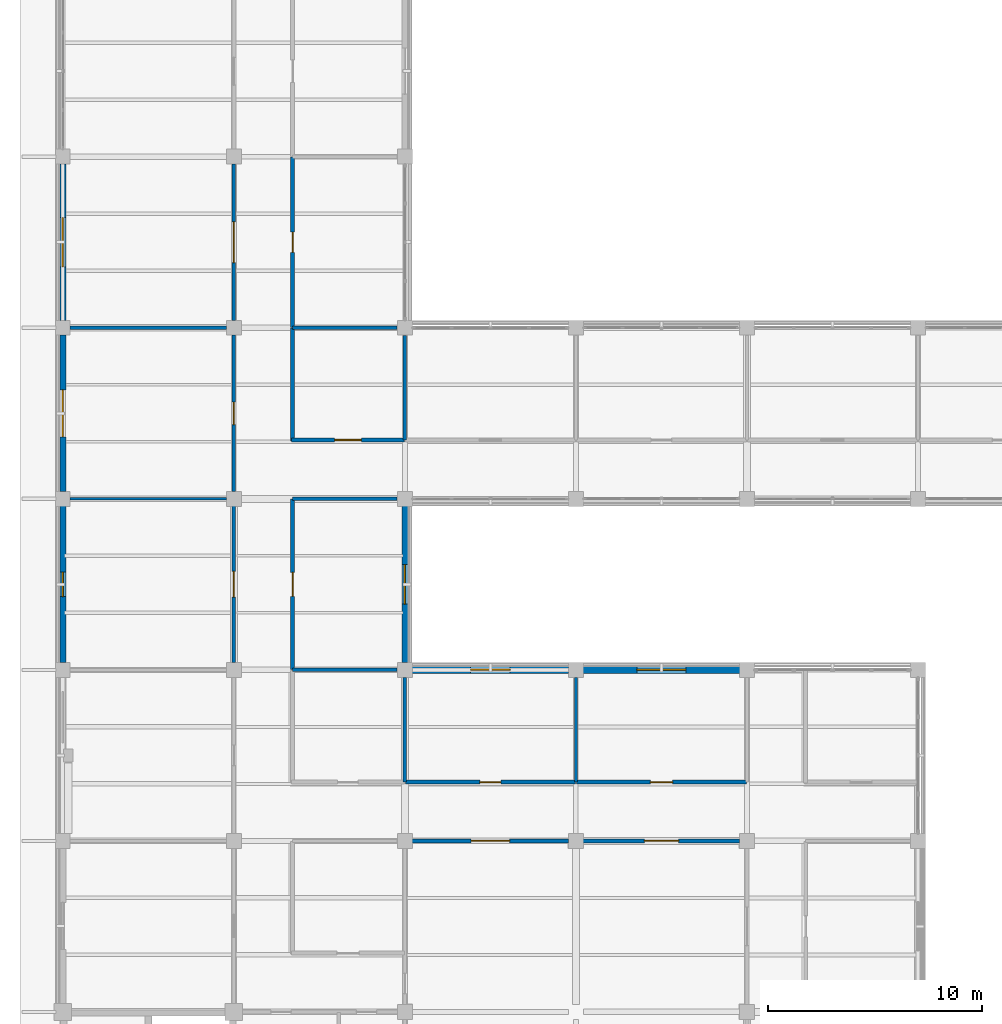
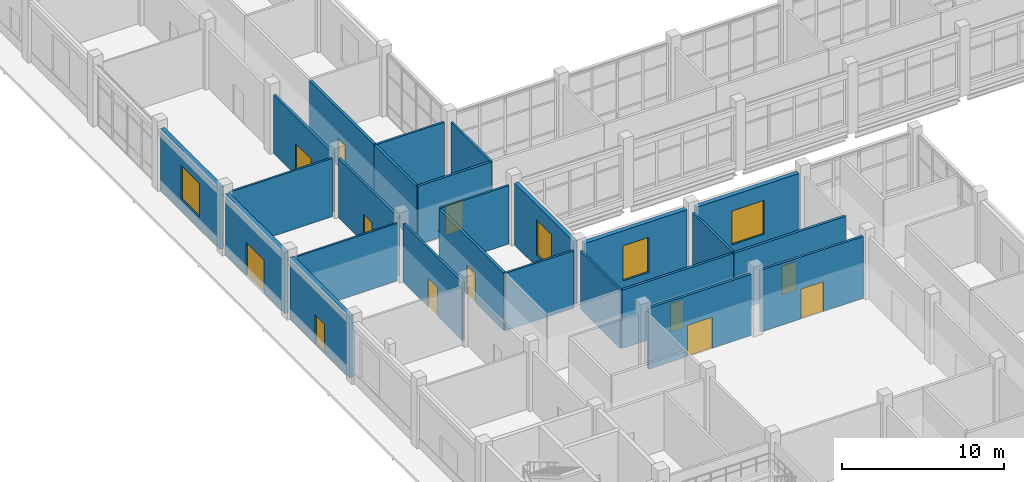
# One storey, part 61 of 105: 25 walls, 12 doors, 4 windows, 16 openings.
"""IFC4 building model written with IfcOpenShell, lengths in metres."""

import ifcopenshell
import ifcopenshell.guid

model = None  # the IFC model being written
_history = None  # IfcOwnerHistory: only IFC2X3 demands one
_inside = {}  # id of a spatial element -> (the spatial element, [elements in it])
_under = {}  # id of a project, library or spatial element -> (it, [spatial elements below it])
_declared = {}  # id of a project -> (the project, [libraries it declares])
_typed = {}  # id of a type object -> (the type object, [elements of that type])
_made_of = {}  # id of a material, layer set ... -> (it, [elements and type objects made of it])


def new_model(schema):
    """Start an empty IFC model of exactly this schema.

    Asked for "IFC4X3", IfcOpenShell would pick the latest addendum, in which some entities
    have other attributes; the version numbers below select the first issue.
    IFC2X3 requires an IfcOwnerHistory on every rooted entity: one is made here for all.
    """
    global model, _history
    if schema == "IFC4X3":
        model = ifcopenshell.file(schema_version=(4, 3, 0, 0))
    else:
        model = ifcopenshell.file(schema=schema)
    _inside.clear()
    _under.clear()
    _declared.clear()
    _typed.clear()
    _made_of.clear()
    _history = None
    if model.schema == "IFC2X3":
        org = make("IfcOrganization", Name="unknown")
        user = make(
            "IfcPersonAndOrganization",
            ThePerson=make("IfcPerson", FamilyName="unknown"),
            TheOrganization=org,
        )
        app = make(
            "IfcApplication",
            ApplicationDeveloper=org,
            Version="unknown",
            ApplicationFullName="unknown",
            ApplicationIdentifier="unknown",
        )
        _history = make(
            "IfcOwnerHistory",
            OwningUser=user,
            OwningApplication=app,
            ChangeAction="ADDED",
            CreationDate=0,
        )
    return model


def make(cls, **values):
    """One entity of the class cls with the attributes given. An attribute that is None is left unset."""
    return model.create_entity(
        cls, **{name: value for name, value in values.items() if value is not None}
    )


def rooted(cls, **values):
    """An entity with a GlobalId (a new one), such as an element, a storey or a relation."""
    return make(cls, GlobalId=ifcopenshell.guid.new(), OwnerHistory=_history, **values)


def si_unit(unit_type, name, prefix=None):
    """IfcSIUnit, for example si_unit("LENGTHUNIT", "METRE", prefix="MILLI")."""
    return make("IfcSIUnit", UnitType=unit_type, Prefix=prefix, Name=name)


def derived_unit(unit_type, elements):
    """IfcDerivedUnit: a product of units, each with its exponent."""
    return make(
        "IfcDerivedUnit",
        Elements=[
            make("IfcDerivedUnitElement", Unit=unit, Exponent=power)
            for unit, power in elements
        ],
        UnitType=unit_type,
    )


def assignment(units):
    """IfcUnitAssignment: the units of a project."""
    return None if units is None else make("IfcUnitAssignment", Units=units)


def point(xyz):
    """IfcCartesianPoint."""
    return None if xyz is None else make("IfcCartesianPoint", Coordinates=xyz)


def direction(xyz):
    """IfcDirection."""
    return None if xyz is None else make("IfcDirection", DirectionRatios=xyz)


def frame(location, z_axis=None, x_axis=None):
    """IfcAxis2Placement3D, a coordinate frame: its origin and axes. An axis left out is left unset."""
    return make(
        "IfcAxis2Placement3D",
        Location=point(location),
        Axis=direction(z_axis),
        RefDirection=direction(x_axis),
    )


def frame_2d(location, x_axis=None):
    """IfcAxis2Placement2D, a coordinate frame in the plane: its origin and x axis."""
    return make(
        "IfcAxis2Placement2D", Location=point(location), RefDirection=direction(x_axis)
    )


def origin():
    """The frame at (0, 0, 0) with its axes left unset."""
    return frame((0.0, 0.0, 0.0))


def place(relative_to, where):
    """IfcLocalPlacement: puts the frame where relative to a parent placement (None: the world)."""
    return make(
        "IfcLocalPlacement", PlacementRelTo=relative_to, RelativePlacement=where
    )


def context(
    kind, dimensions, precision=None, world=None, true_north=None, identifier=None
):
    """IfcGeometricRepresentationContext, for example the 3D "Model" context."""
    return make(
        "IfcGeometricRepresentationContext",
        ContextIdentifier=identifier,
        ContextType=kind,
        CoordinateSpaceDimension=dimensions,
        Precision=precision,
        WorldCoordinateSystem=world,
        TrueNorth=true_north,
    )


def subcontext(parent, identifier, kind, view, scale=None):
    """IfcGeometricRepresentationSubContext, for example "Body" below "Model"."""
    return make(
        "IfcGeometricRepresentationSubContext",
        ContextIdentifier=identifier,
        ContextType=kind,
        ParentContext=parent,
        TargetScale=scale,
        TargetView=view,
    )


def project(units=None, contexts=None):
    """IfcProject with its units and contexts."""
    return rooted(
        "IfcProject",
        Name="project",
        RepresentationContexts=contexts,
        UnitsInContext=assignment(units),
    )


def spatial(cls, under=None, at=None, **own):
    """A site, building, storey or space (cls), placed at a placement, below another one or the project."""
    s = rooted(cls, ObjectPlacement=at, **own)
    if under is not None:
        _under.setdefault(under.id(), (under, []))[1].append(s)
    return s


def profile(cls, at=None, kind="AREA", **sizes):
    """A parametric profile (cls). Its sizes go by their IFC names, for example OverallWidth=200.0."""
    return make(cls, ProfileType=kind, Position=at, **sizes)


def rectangle(**sizes):
    """IfcRectangleProfileDef."""
    return profile("IfcRectangleProfileDef", **sizes)


def extrude(swept, where, along, depth):
    """IfcExtrudedAreaSolid: the profile swept, set in the frame where, extruded along a direction by depth."""
    return make(
        "IfcExtrudedAreaSolid",
        SweptArea=swept,
        Position=where,
        ExtrudedDirection=direction(along),
        Depth=depth,
    )


def shape(context_of_items, identifier, shape_type, items):
    """IfcShapeRepresentation: the items that make up one representation, for example the "Body"."""
    return make(
        "IfcShapeRepresentation",
        ContextOfItems=context_of_items,
        RepresentationIdentifier=identifier,
        RepresentationType=shape_type,
        Items=items,
    )


def material(Name=None, Category=None):
    """IfcMaterial."""
    return make("IfcMaterial", Name=Name, Category=Category)


def layer(
    of_material, thickness, ventilated=None, Name=None, Category=None, Priority=None
):
    """IfcMaterialLayer: one layer of a wall or slab, of a material (None: an air gap)."""
    return make(
        "IfcMaterialLayer",
        Material=of_material,
        LayerThickness=thickness,
        IsVentilated=ventilated,
        Name=Name,
        Category=Category,
        Priority=Priority,
    )


def layer_set(layers, Name=None):
    """IfcMaterialLayerSet."""
    return make("IfcMaterialLayerSet", MaterialLayers=layers, LayerSetName=Name)


def made_of(thing, what):
    """Note that an element or type object is made of a material, layer set ...; save() writes the relation."""
    if what is not None:
        _made_of.setdefault(what.id(), (what, []))[1].append(thing)
    return thing


def type_object(cls, material=None, **own):
    """A type object (cls), such as IfcWallType, which elements share."""
    return made_of(rooted(cls, **own), material)


def element(
    cls,
    number,
    at=None,
    inside=None,
    cuts=None,
    type_object=None,
    material=None,
    context=None,
    identifier="Body",
    shape_type=None,
    held_by="IfcProductDefinitionShape",
    body=None,
    shapes=None,
    **own,
):
    """One element of the class cls, such as IfcWall. Its Tag is "e" and its number.

    at: its placement. inside: the storey or other place that contains it. cuts: it is an
    opening in that element (IfcRelVoidsElement). A single representation is given by context,
    identifier, shape_type and body (its items); several are given by shapes. held_by: the class
    of the entity that holds the representations. save() writes the other relations.
    """
    e = rooted(cls, Tag="e%d" % number, ObjectPlacement=at, **own)
    if body is not None:
        shapes = [shape(context, identifier, shape_type, body)]
    if shapes is not None:
        e.Representation = make(held_by, Representations=shapes)
    if inside is not None:
        _inside.setdefault(inside.id(), (inside, []))[1].append(e)
    if cuts is not None:
        rooted(
            "IfcRelVoidsElement", RelatingBuildingElement=cuts, RelatedOpeningElement=e
        )
    if type_object is not None:
        _typed.setdefault(type_object.id(), (type_object, []))[1].append(e)
    return made_of(e, material)


def fill(opening, filler):
    """IfcRelFillsElement: the door or window that sits in an opening."""
    return rooted(
        "IfcRelFillsElement",
        RelatingOpeningElement=opening,
        RelatedBuildingElement=filler,
    )


def aggregate(whole, parts):
    """IfcRelAggregates: a whole, such as a stair, and the parts it consists of."""
    return rooted("IfcRelAggregates", RelatingObject=whole, RelatedObjects=parts)


def save(model, path):
    """Write the relations noted so far, then the file.

    IfcRelAggregates (storeys below a building ...), IfcRelContainedInSpatialStructure (elements
    in a storey), IfcRelDefinesByType, IfcRelAssociatesMaterial and IfcRelDeclares: one each for
    every whole, place, type object, material and project.
    """
    for whole, parts in _under.values():
        aggregate(whole, parts)
    for where, things in _inside.values():
        rooted(
            "IfcRelContainedInSpatialStructure",
            RelatedElements=things,
            RelatingStructure=where,
        )
    for kind, things in _typed.values():
        rooted("IfcRelDefinesByType", RelatedObjects=things, RelatingType=kind)
    for what, things in _made_of.values():
        rooted("IfcRelAssociatesMaterial", RelatedObjects=things, RelatingMaterial=what)
    for by, libraries in _declared.values():
        rooted("IfcRelDeclares", RelatingContext=by, RelatedDefinitions=libraries)
    model.write(path)


model = new_model("IFC4")

# Units and contexts
model_context = context("Model", 3, precision=1e-05, world=origin(), true_north=direction((0.0, 1.0)))
body_context = subcontext(model_context, "Body", "Model", "MODEL_VIEW")
ifc_project = project(units=[si_unit("LENGTHUNIT", "METRE"), si_unit("AREAUNIT", "SQUARE_METRE"), si_unit("VOLUMEUNIT", "CUBIC_METRE"), si_unit("PLANEANGLEUNIT", "RADIAN"), si_unit("MASSUNIT", "GRAM", prefix="KILO"), derived_unit("THERMALTRANSMITTANCEUNIT", [(si_unit("MASSUNIT", "GRAM", prefix="KILO"), 1), (si_unit("TIMEUNIT", "SECOND"), -3), (si_unit("THERMODYNAMICTEMPERATUREUNIT", "KELVIN"), -1)])], contexts=[model_context])

# Site, building, storey
site_placement = place(None, origin())
site = spatial("IfcSite", under=ifc_project, at=site_placement, CompositionType="ELEMENT")
building_placement = place(site_placement, origin())
building = spatial("IfcBuilding", under=site, at=building_placement, Name="Veyamyaing Civic Hall", CompositionType="ELEMENT")
storey_placement = place(building_placement, origin())
storey = spatial("IfcBuildingStorey", under=building, at=storey_placement, Name="L00", CompositionType="ELEMENT", Elevation=0.0)

# Wall, opening, window
ifc_material_1 = material(Name="Precast concrete C40/50", Category="concrete")
ifc_layer_1 = layer(ifc_material_1, 0.320068359375, Name="Precast concrete C40/50")
ifc_layer_set_1 = layer_set([ifc_layer_1], Name="Precast concrete C40/50")
wall_type_1 = type_object("IfcWallType", Name="WT-02", PredefinedType="SOLIDWALL", material=ifc_layer_set_1)
wall_1_placement = place(storey_placement, frame((16.3349609375, 40.0, 0.0), z_axis=(0.0, 0.0, 1.0), x_axis=(1.0, 0.0, 0.0)))
wall_1 = element("IfcWall", 1, at=wall_1_placement, inside=storey, type_object=wall_type_1, Name="Exterior facade wall WT-02 L00 N 3.5", PredefinedType="SOLIDWALL", context=body_context, shape_type="SweptSolid", body=[
    extrude(rectangle(XDim=7.330078125, YDim=0.320068359375, at=frame_2d((3.6650390625, 0.0))), origin(), (0.0, 0.0, 1.0), 4.677001953125),
])
opening_1_placement = place(wall_1_placement, frame((2.739990234375, 0.0, 0.89990234375)))
opening_1 = element("IfcOpeningElement", 2, at=opening_1_placement, cuts=wall_1, Name="Opening W-03", PredefinedType="OPENING", context=body_context, shape_type="SweptSolid", body=[
    extrude(rectangle(XDim=1.85009765625, YDim=2.64990234375, at=frame_2d((0.925048828125, 1.324951171875))), frame((0.0, 0.169921875, 0.0), z_axis=(0.0, -1.0, 0.0), x_axis=(1.0, 0.0, 0.0)), (0.0, 0.0, 1.0), 0.340087890625),
])
ifc_material_2 = material(Name="Low-E insulated glass", Category="glass")
window_type_1 = type_object("IfcWindowType", Name="W-03", PartitioningType="SINGLE_PANEL", PredefinedType="WINDOW", material=ifc_material_2)
window_1_placement = place(opening_1_placement, origin())
window_1 = element("IfcWindow", 3, at=window_1_placement, inside=storey, type_object=window_type_1, Name="Facade window W-03 L00 N 3.5", OverallHeight=2.64990234375, OverallWidth=1.85009765625, PartitioningType="SINGLE_PANEL", PredefinedType="WINDOW", context=body_context, shape_type="SweptSolid", body=[
    extrude(rectangle(XDim=1.85009765625, YDim=2.64990234375, at=frame_2d((0.925048828125, 1.324951171875))), frame((0.0, 0.030029296875, 0.0), z_axis=(0.0, -1.0, 0.0), x_axis=(1.0, 0.0, 0.0)), (0.0, 0.0, 1.0), 0.06005859375),
])
fill(opening_1, window_1)

wall_2_placement = place(storey_placement, frame((24.3349609375, 40.0, 0.0), z_axis=(0.0, 0.0, 1.0), x_axis=(1.0, 0.0, 0.0)))
wall_2 = element("IfcWall", 4, at=wall_2_placement, inside=storey, type_object=wall_type_1, Name="Exterior facade wall WT-02 L00 N 4.5", PredefinedType="SOLIDWALL", context=body_context, shape_type="SweptSolid", body=[
    extrude(rectangle(XDim=7.330078125, YDim=0.320068359375, at=frame_2d((3.6650390625, 0.0))), origin(), (0.0, 0.0, 1.0), 4.610107421875),
])
opening_2_placement = place(wall_2_placement, frame((2.514892578125, 0.0, 0.89990234375)))
opening_2 = element("IfcOpeningElement", 5, at=opening_2_placement, cuts=wall_2, Name="Opening W-25", PredefinedType="OPENING", context=body_context, shape_type="SweptSolid", body=[
    extrude(rectangle(XDim=2.300048828125, YDim=2.550048828125, at=frame_2d((1.14990234375, 1.27490234375))), frame((0.0, 0.169921875, 0.0), z_axis=(0.0, -1.0, 0.0), x_axis=(1.0, 0.0, 0.0)), (0.0, 0.0, 1.0), 0.340087890625),
])
window_type_2 = type_object("IfcWindowType", Name="W-25", PartitioningType="SINGLE_PANEL", PredefinedType="WINDOW", material=ifc_material_2)
window_2_placement = place(opening_2_placement, origin())
window_2 = element("IfcWindow", 6, at=window_2_placement, inside=storey, type_object=window_type_2, Name="Facade window W-25 L00 N 4.5", OverallHeight=2.550048828125, OverallWidth=2.300048828125, PartitioningType="SINGLE_PANEL", PredefinedType="WINDOW", context=body_context, shape_type="SweptSolid", body=[
    extrude(rectangle(XDim=2.300048828125, YDim=2.550048828125, at=frame_2d((1.14990234375, 1.27490234375))), frame((0.0, 0.030029296875, 0.0), z_axis=(0.0, -1.0, 0.0), x_axis=(1.0, 0.0, 0.0)), (0.0, 0.0, 1.0), 0.06005859375),
])
fill(opening_2, window_2)

# Wall, opening, door
ifc_layer_2 = layer(ifc_material_1, 0.280029296875, Name="Precast concrete C40/50")
ifc_layer_set_2 = layer_set([ifc_layer_2], Name="Precast concrete C40/50")
wall_type_2 = type_object("IfcWallType", Name="WT-04", PredefinedType="SOLIDWALL", material=ifc_layer_set_2)
wall_3_placement = place(storey_placement, frame((0.0, 40.3349609375, 0.0), z_axis=(0.0, 0.0, 1.0), x_axis=(0.0, 1.0, 0.0)))
wall_3 = element("IfcWall", 7, at=wall_3_placement, inside=storey, type_object=wall_type_2, Name="Exterior facade wall WT-04 L00 W 1.6", PredefinedType="SOLIDWALL", context=body_context, shape_type="SweptSolid", body=[
    extrude(rectangle(XDim=7.330078125, YDim=0.280029296875, at=frame_2d((3.6650390625, 0.0))), origin(), (0.0, 0.0, 1.0), 4.674072265625),
])
opening_3_placement = place(wall_3_placement, frame((3.090087890625, 0.0, 0.0)))
opening_3 = element("IfcOpeningElement", 8, at=opening_3_placement, cuts=wall_3, Name="Opening D-06", PredefinedType="OPENING", context=body_context, shape_type="SweptSolid", body=[
    extrude(rectangle(XDim=1.14990234375, YDim=2.199951171875, at=frame_2d((0.574951171875, 1.10009765625))), frame((0.0, 0.14990234375, 0.0), z_axis=(0.0, -1.0, 0.0), x_axis=(1.0, 0.0, 0.0)), (0.0, 0.0, 1.0), 0.300048828125),
])
ifc_material_3 = material(Name="Anodised aluminium 6063-T6", Category="aluminium")
door_type_1 = type_object("IfcDoorType", Name="D-06", OperationType="NOTDEFINED", PredefinedType="DOOR", material=ifc_material_3)
door_1_placement = place(opening_3_placement, origin())
door_1 = element("IfcDoor", 9, at=door_1_placement, inside=storey, type_object=door_type_1, Name="Fire Command Room Exterior Entrance Door", OperationType="SINGLE_SWING_LEFT", OverallHeight=2.199951171875, OverallWidth=1.14990234375, PredefinedType="DOOR", context=body_context, shape_type="SweptSolid", body=[
    extrude(rectangle(XDim=1.14990234375, YDim=2.199951171875, at=frame_2d((0.574951171875, 1.10009765625))), frame((0.0, 0.02490234375, 0.0), z_axis=(0.0, -1.0, 0.0), x_axis=(1.0, 0.0, 0.0)), (0.0, 0.0, 1.0), 0.050048828125),
])
fill(opening_3, door_1)

wall_4_placement = place(storey_placement, frame((0.0, 48.3349609375, 0.0), z_axis=(0.0, 0.0, 1.0), x_axis=(0.0, 1.0, 0.0)))
wall_4 = element("IfcWall", 10, at=wall_4_placement, inside=storey, type_object=wall_type_2, Name="Exterior facade wall WT-04 L00 W 1.7", PredefinedType="SOLIDWALL", context=body_context, shape_type="SweptSolid", body=[
    extrude(rectangle(XDim=7.330078125, YDim=0.280029296875, at=frame_2d((3.6650390625, 0.0))), origin(), (0.0, 0.0, 1.0), 4.614013671875),
])
opening_4_placement = place(wall_4_placement, frame((2.56494140625, 0.0, 0.0)))
opening_4 = element("IfcOpeningElement", 11, at=opening_4_placement, cuts=wall_4, Name="Opening D-01", PredefinedType="OPENING", context=body_context, shape_type="SweptSolid", body=[
    extrude(rectangle(XDim=2.199951171875, YDim=2.5, at=frame_2d((1.10009765625, 1.25))), frame((0.0, 0.14990234375, 0.0), z_axis=(0.0, -1.0, 0.0), x_axis=(1.0, 0.0, 0.0)), (0.0, 0.0, 1.0), 0.300048828125),
])
door_type_2 = type_object("IfcDoorType", Name="D-01", OperationType="DOUBLE_DOOR_SINGLE_SWING", PredefinedType="DOOR", material=ifc_material_3)
door_2_placement = place(opening_4_placement, origin())
door_2 = element("IfcDoor", 12, at=door_2_placement, inside=storey, type_object=door_type_2, Name="Main pedestrian final exit EX-03", OperationType="DOUBLE_DOOR_SINGLE_SWING", OverallHeight=2.5, OverallWidth=2.199951171875, PredefinedType="DOOR", context=body_context, shape_type="SweptSolid", body=[
    extrude(rectangle(XDim=2.199951171875, YDim=2.5, at=frame_2d((1.10009765625, 1.25))), frame((0.0, 0.02490234375, 0.0), z_axis=(0.0, -1.0, 0.0), x_axis=(1.0, 0.0, 0.0)), (0.0, 0.0, 1.0), 0.050048828125),
])
fill(opening_4, door_2)

# Wall, opening, window
wall_5_placement = place(storey_placement, frame((0.0, 56.3349609375, 0.0), z_axis=(0.0, 0.0, 1.0), x_axis=(0.0, 1.0, 0.0)))
wall_5 = element("IfcWall", 13, at=wall_5_placement, inside=storey, type_object=wall_type_2, Name="Exterior facade wall WT-04 L00 W 1.8", PredefinedType="SOLIDWALL", context=body_context, shape_type="SweptSolid", body=[
    extrude(rectangle(XDim=7.330078125, YDim=0.280029296875, at=frame_2d((3.6650390625, 0.0))), origin(), (0.0, 0.0, 1.0), 4.677001953125),
])
opening_5_placement = place(wall_5_placement, frame((2.514892578125, 0.0, 0.89990234375)))
opening_5 = element("IfcOpeningElement", 14, at=opening_5_placement, cuts=wall_5, Name="Opening W-25", PredefinedType="OPENING", context=body_context, shape_type="SweptSolid", body=[
    extrude(rectangle(XDim=2.300048828125, YDim=2.550048828125, at=frame_2d((1.14990234375, 1.27490234375))), frame((0.0, 0.14990234375, 0.0), z_axis=(0.0, -1.0, 0.0), x_axis=(1.0, 0.0, 0.0)), (0.0, 0.0, 1.0), 0.300048828125),
])
window_3_placement = place(opening_5_placement, origin())
window_3 = element("IfcWindow", 15, at=window_3_placement, inside=storey, type_object=window_type_2, Name="Facade window W-25 L00 W 1.8", OverallHeight=2.550048828125, OverallWidth=2.300048828125, PartitioningType="SINGLE_PANEL", PredefinedType="WINDOW", context=body_context, shape_type="SweptSolid", body=[
    extrude(rectangle(XDim=2.300048828125, YDim=2.550048828125, at=frame_2d((1.14990234375, 1.27490234375))), frame((0.0, 0.030029296875, 0.0), z_axis=(0.0, -1.0, 0.0), x_axis=(1.0, 0.0, 0.0)), (0.0, 0.0, 1.0), 0.06005859375),
])
fill(opening_5, window_3)

wall_6_placement = place(storey_placement, frame((16.0, 40.3349609375, 0.0), z_axis=(0.0, 0.0, 1.0), x_axis=(0.0, 1.0, 0.0)))
wall_6 = element("IfcWall", 16, at=wall_6_placement, inside=storey, type_object=wall_type_2, Name="Exterior facade wall WT-04 L00 E 2.6", PredefinedType="SOLIDWALL", context=body_context, shape_type="SweptSolid", body=[
    extrude(rectangle(XDim=7.330078125, YDim=0.280029296875, at=frame_2d((3.6650390625, 0.0))), origin(), (0.0, 0.0, 1.0), 4.677001953125),
])
opening_6_placement = place(wall_6_placement, frame((2.739990234375, 0.0, 0.89990234375)))
opening_6 = element("IfcOpeningElement", 17, at=opening_6_placement, cuts=wall_6, Name="Opening W-03", PredefinedType="OPENING", context=body_context, shape_type="SweptSolid", body=[
    extrude(rectangle(XDim=1.85009765625, YDim=2.64990234375, at=frame_2d((0.925048828125, 1.324951171875))), frame((0.0, 0.14990234375, 0.0), z_axis=(0.0, -1.0, 0.0), x_axis=(1.0, 0.0, 0.0)), (0.0, 0.0, 1.0), 0.300048828125),
])
window_4_placement = place(opening_6_placement, origin())
window_4 = element("IfcWindow", 18, at=window_4_placement, inside=storey, type_object=window_type_1, Name="Facade window W-03 L00 E 2.6", OverallHeight=2.64990234375, OverallWidth=1.85009765625, PartitioningType="SINGLE_PANEL", PredefinedType="WINDOW", context=body_context, shape_type="SweptSolid", body=[
    extrude(rectangle(XDim=1.85009765625, YDim=2.64990234375, at=frame_2d((0.925048828125, 1.324951171875))), frame((0.0, 0.030029296875, 0.0), z_axis=(0.0, -1.0, 0.0), x_axis=(1.0, 0.0, 0.0)), (0.0, 0.0, 1.0), 0.06005859375),
])
fill(opening_6, window_4)

# Wall, opening, door
ifc_material_4 = material(Name="Gypsum board on acoustic steel stud", Category="steel")
ifc_layer_3 = layer(ifc_material_4, 0.175048828125, Name="Gypsum board on acoustic steel stud")
ifc_layer_set_3 = layer_set([ifc_layer_3], Name="Gypsum board on acoustic steel stud")
wall_type_3 = type_object("IfcWallType", Name="WT-07", PredefinedType="PARTITIONING", material=ifc_layer_set_3)
wall_7_placement = place(storey_placement, frame((10.699951171875, 50.75, 0.0), z_axis=(0.0, 0.0, 1.0), x_axis=(1.0, 0.0, 0.0)))
wall_7 = element("IfcWall", 19, at=wall_7_placement, inside=storey, type_object=wall_type_3, Name="Corridor gallery partition WT-07 L00.7.1", PredefinedType="PARTITIONING", context=body_context, shape_type="SweptSolid", body=[
    extrude(rectangle(XDim=5.280029296875, YDim=0.175048828125, at=frame_2d((2.64013671875, 0.0))), origin(), (0.0, 0.0, 1.0), 4.403076171875),
])
opening_7_placement = place(wall_7_placement, frame((2.014892578125, 0.0, 0.0)))
opening_7 = element("IfcOpeningElement", 20, at=opening_7_placement, cuts=wall_7, Name="Opening D-29", PredefinedType="OPENING", context=body_context, shape_type="SweptSolid", body=[
    extrude(rectangle(XDim=1.25, YDim=2.179931640625, at=frame_2d((0.625, 1.08984375))), frame((0.0, 0.097412109375, 0.0), z_axis=(0.0, -1.0, 0.0), x_axis=(1.0, 0.0, 0.0)), (0.0, 0.0, 1.0), 0.195068359375),
])
ifc_material_5 = material(Name="Teak-veneered acoustic timber", Category="wood")
door_type_3 = type_object("IfcDoorType", Name="D-29", OperationType="NOTDEFINED", PredefinedType="DOOR", material=ifc_material_5)
door_3_placement = place(opening_7_placement, origin())
door_3 = element("IfcDoor", 21, at=door_3_placement, inside=storey, type_object=door_type_3, Name="Gallery office door D-29 L00.7", OperationType="SINGLE_SWING_RIGHT", OverallHeight=2.179931640625, OverallWidth=1.25, PredefinedType="DOOR", context=body_context, shape_type="SweptSolid", body=[
    extrude(rectangle(XDim=1.25, YDim=2.179931640625, at=frame_2d((0.625, 1.08984375))), frame((0.0, 0.02490234375, 0.0), z_axis=(0.0, -1.0, 0.0), x_axis=(1.0, 0.0, 0.0)), (0.0, 0.0, 1.0), 0.050048828125),
])
fill(opening_7, door_3)

# Wall
wall_8_placement = place(storey_placement, frame((10.75, 50.699951171875, 0.0), z_axis=(0.0, 0.0, 1.0), x_axis=(0.0, 1.0, 0.0)))
element("IfcWall", 22, at=wall_8_placement, inside=storey, type_object=wall_type_3, Name="Corridor gallery partition WT-07 L00.7.2", PredefinedType="PARTITIONING", context=body_context, shape_type="SweptSolid", body=[
    extrude(rectangle(XDim=5.280029296875, YDim=0.175048828125, at=frame_2d((2.64013671875, 0.0))), origin(), (0.0, 0.0, 1.0), 4.326904296875),
])

# Wall, opening, door
wall_9_placement = place(storey_placement, frame((16.02001953125, 34.75, 0.0), z_axis=(0.0, 0.0, 1.0), x_axis=(1.0, 0.0, 0.0)))
wall_9 = element("IfcWall", 23, at=wall_9_placement, inside=storey, type_object=wall_type_3, Name="Corridor gallery partition WT-07 L00.11.1", PredefinedType="PARTITIONING", context=body_context, shape_type="SweptSolid", body=[
    extrude(rectangle(XDim=7.9599609375, YDim=0.175048828125, at=frame_2d((3.97998046875, 0.0))), origin(), (0.0, 0.0, 1.0), 4.404052734375),
])
opening_8_placement = place(wall_9_placement, frame((3.489990234375, 0.0, 0.0)))
opening_8 = element("IfcOpeningElement", 24, at=opening_8_placement, cuts=wall_9, Name="Opening D-14", PredefinedType="OPENING", context=body_context, shape_type="SweptSolid", body=[
    extrude(rectangle(XDim=0.97998046875, YDim=2.14990234375, at=frame_2d((0.489990234375, 1.074951171875))), frame((0.0, 0.097412109375, 0.0), z_axis=(0.0, -1.0, 0.0), x_axis=(1.0, 0.0, 0.0)), (0.0, 0.0, 1.0), 0.195068359375),
])
door_type_4 = type_object("IfcDoorType", Name="D-14", OperationType="NOTDEFINED", PredefinedType="DOOR", material=ifc_material_5)
door_4_placement = place(opening_8_placement, origin())
door_4 = element("IfcDoor", 25, at=door_4_placement, inside=storey, type_object=door_type_4, Name="Gallery office door D-14 L00.11", OperationType="SINGLE_SWING_RIGHT", OverallHeight=2.14990234375, OverallWidth=0.97998046875, PredefinedType="DOOR", context=body_context, shape_type="SweptSolid", body=[
    extrude(rectangle(XDim=0.97998046875, YDim=2.14990234375, at=frame_2d((0.489990234375, 1.074951171875))), frame((0.0, 0.02490234375, 0.0), z_axis=(0.0, -1.0, 0.0), x_axis=(1.0, 0.0, 0.0)), (0.0, 0.0, 1.0), 0.050048828125),
])
fill(opening_8, door_4)

wall_10_placement = place(storey_placement, frame((8.0, 40.340087890625, 0.0), z_axis=(0.0, 0.0, 1.0), x_axis=(0.0, 1.0, 0.0)))
wall_10 = element("IfcWall", 26, at=wall_10_placement, inside=storey, type_object=wall_type_3, Name="Interior partition wall WT-07 L00.7", PredefinedType="PARTITIONING", context=body_context, shape_type="SweptSolid", body=[
    extrude(rectangle(XDim=7.31982421875, YDim=0.175048828125, at=frame_2d((3.659912109375, 0.0))), origin(), (0.0, 0.0, 1.0), 4.404052734375),
])
opening_9_placement = place(wall_10_placement, frame((3.06005859375, 0.0, 0.0)))
opening_9 = element("IfcOpeningElement", 27, at=opening_9_placement, cuts=wall_10, Name="Opening D-04", PredefinedType="OPENING", context=body_context, shape_type="SweptSolid", body=[
    extrude(rectangle(XDim=1.199951171875, YDim=2.14990234375, at=frame_2d((0.60009765625, 1.074951171875))), frame((0.0, 0.097412109375, 0.0), z_axis=(0.0, -1.0, 0.0), x_axis=(1.0, 0.0, 0.0)), (0.0, 0.0, 1.0), 0.195068359375),
])
ifc_material_6 = material(Name="Galvanized steel S355J2", Category="steel")
door_type_5 = type_object("IfcDoorType", Name="D-04", OperationType="NOTDEFINED", PredefinedType="DOOR", material=ifc_material_6)
door_5_placement = place(opening_9_placement, origin())
door_5 = element("IfcDoor", 28, at=door_5_placement, inside=storey, type_object=door_type_5, Name="Interior door D-04 L00.7", OperationType="SINGLE_SWING_LEFT", OverallHeight=2.14990234375, OverallWidth=1.199951171875, PredefinedType="DOOR", context=body_context, shape_type="SweptSolid", body=[
    extrude(rectangle(XDim=1.199951171875, YDim=2.14990234375, at=frame_2d((0.60009765625, 1.074951171875))), frame((0.0, 0.02490234375, 0.0), z_axis=(0.0, -1.0, 0.0), x_axis=(1.0, 0.0, 0.0)), (0.0, 0.0, 1.0), 0.050048828125),
])
fill(opening_9, door_5)

wall_11_placement = place(storey_placement, frame((8.0, 48.340087890625, 0.0), z_axis=(0.0, 0.0, 1.0), x_axis=(0.0, 1.0, 0.0)))
wall_11 = element("IfcWall", 29, at=wall_11_placement, inside=storey, type_object=wall_type_3, Name="Interior partition wall WT-07 L00.9", PredefinedType="PARTITIONING", context=body_context, shape_type="SweptSolid", body=[
    extrude(rectangle(XDim=7.31982421875, YDim=0.175048828125, at=frame_2d((3.659912109375, 0.0))), origin(), (0.0, 0.0, 1.0), 4.470947265625),
])
opening_10_placement = place(wall_11_placement, frame((3.135009765625, 0.0, 0.0)))
opening_10 = element("IfcOpeningElement", 30, at=opening_10_placement, cuts=wall_11, Name="Opening D-12", PredefinedType="OPENING", context=body_context, shape_type="SweptSolid", body=[
    extrude(rectangle(XDim=1.050048828125, YDim=2.14990234375, at=frame_2d((0.52490234375, 1.074951171875))), frame((0.0, 0.097412109375, 0.0), z_axis=(0.0, -1.0, 0.0), x_axis=(1.0, 0.0, 0.0)), (0.0, 0.0, 1.0), 0.195068359375),
])
door_type_6 = type_object("IfcDoorType", Name="D-12", OperationType="NOTDEFINED", PredefinedType="DOOR", material=ifc_material_5)
door_6_placement = place(opening_10_placement, origin())
door_6 = element("IfcDoor", 31, at=door_6_placement, inside=storey, type_object=door_type_6, Name="Interior door D-12 L00.9", OperationType="SINGLE_SWING_RIGHT", OverallHeight=2.14990234375, OverallWidth=1.050048828125, PredefinedType="DOOR", context=body_context, shape_type="SweptSolid", body=[
    extrude(rectangle(XDim=1.050048828125, YDim=2.14990234375, at=frame_2d((0.52490234375, 1.074951171875))), frame((0.0, 0.02490234375, 0.0), z_axis=(0.0, -1.0, 0.0), x_axis=(1.0, 0.0, 0.0)), (0.0, 0.0, 1.0), 0.050048828125),
])
fill(opening_10, door_6)

wall_12_placement = place(storey_placement, frame((8.0, 56.340087890625, 0.0), z_axis=(0.0, 0.0, 1.0), x_axis=(0.0, 1.0, 0.0)))
wall_12 = element("IfcWall", 32, at=wall_12_placement, inside=storey, type_object=wall_type_3, Name="Interior partition wall WT-07 L00.11", PredefinedType="PARTITIONING", context=body_context, shape_type="SweptSolid", body=[
    extrude(rectangle(XDim=7.31982421875, YDim=0.175048828125, at=frame_2d((3.659912109375, 0.0))), origin(), (0.0, 0.0, 1.0), 4.403076171875),
])
opening_11_placement = place(wall_12_placement, frame((2.7099609375, 0.0, 0.0)))
opening_11 = element("IfcOpeningElement", 33, at=opening_11_placement, cuts=wall_12, Name="Opening D-31", PredefinedType="OPENING", context=body_context, shape_type="SweptSolid", body=[
    extrude(rectangle(XDim=1.89990234375, YDim=2.3798828125, at=frame_2d((0.949951171875, 1.18994140625))), frame((0.0, 0.097412109375, 0.0), z_axis=(0.0, -1.0, 0.0), x_axis=(1.0, 0.0, 0.0)), (0.0, 0.0, 1.0), 0.195068359375),
])
door_type_7 = type_object("IfcDoorType", Name="D-31", OperationType="DOUBLE_DOOR_SINGLE_SWING", PredefinedType="DOOR", material=ifc_material_5)
door_7_placement = place(opening_11_placement, origin())
door_7 = element("IfcDoor", 34, at=door_7_placement, inside=storey, type_object=door_type_7, Name="Interior door D-31 L00.11", OperationType="DOUBLE_DOOR_SINGLE_SWING", OverallHeight=2.3798828125, OverallWidth=1.89990234375, PredefinedType="DOOR", context=body_context, shape_type="SweptSolid", body=[
    extrude(rectangle(XDim=1.89990234375, YDim=2.3798828125, at=frame_2d((0.949951171875, 1.18994140625))), frame((0.0, 0.02490234375, 0.0), z_axis=(0.0, -1.0, 0.0), x_axis=(1.0, 0.0, 0.0)), (0.0, 0.0, 1.0), 0.050048828125),
])
fill(opening_11, door_7)

wall_13_placement = place(storey_placement, frame((24.340087890625, 32.0, 0.0), z_axis=(0.0, 0.0, 1.0), x_axis=(1.0, 0.0, 0.0)))
wall_13 = element("IfcWall", 35, at=wall_13_placement, inside=storey, type_object=wall_type_3, Name="Interior partition wall WT-07 L00.37", PredefinedType="PARTITIONING", context=body_context, shape_type="SweptSolid", body=[
    extrude(rectangle(XDim=7.31982421875, YDim=0.175048828125, at=frame_2d((3.659912109375, 0.0))), origin(), (0.0, 0.0, 1.0), 4.669921875),
])
opening_12_placement = place(wall_13_placement, frame((2.860107421875, 0.0, 0.0)))
opening_12 = element("IfcOpeningElement", 36, at=opening_12_placement, cuts=wall_13, Name="Opening D-09", PredefinedType="OPENING", context=body_context, shape_type="SweptSolid", body=[
    extrude(rectangle(XDim=1.60009765625, YDim=2.25, at=frame_2d((0.800048828125, 1.125))), frame((0.0, 0.097412109375, 0.0), z_axis=(0.0, -1.0, 0.0), x_axis=(1.0, 0.0, 0.0)), (0.0, 0.0, 1.0), 0.195068359375),
])
door_type_8 = type_object("IfcDoorType", Name="D-09", OperationType="DOUBLE_DOOR_SINGLE_SWING", PredefinedType="DOOR", material=ifc_material_5)
door_8_placement = place(opening_12_placement, frame((1.60009765625, 0.0, 0.0), z_axis=(0.0, 0.0, 1.0), x_axis=(-1.0, 0.0, 0.0)))
door_8 = element("IfcDoor", 37, at=door_8_placement, inside=storey, type_object=door_type_8, Name="Interior door D-09 L00.37", OperationType="DOUBLE_DOOR_SINGLE_SWING", OverallHeight=2.25, OverallWidth=1.60009765625, PredefinedType="DOOR", context=body_context, shape_type="SweptSolid", body=[
    extrude(rectangle(XDim=1.60009765625, YDim=2.25, at=frame_2d((0.800048828125, 1.125))), frame((0.0, 0.02490234375, 0.0), z_axis=(0.0, -1.0, 0.0), x_axis=(1.0, 0.0, 0.0)), (0.0, 0.0, 1.0), 0.050048828125),
])
fill(opening_12, door_8)

# Walls
ifc_material_7 = material(Name="Gypsum board on steel stud", Category="steel")
ifc_layer_4 = layer(ifc_material_7, 0.14990234375, Name="Gypsum board on steel stud")
ifc_layer_set_4 = layer_set([ifc_layer_4], Name="Gypsum board on steel stud")
wall_type_4 = type_object("IfcWallType", Name="WT-08", PredefinedType="PARTITIONING", material=ifc_layer_set_4)
wall_14_placement = place(storey_placement, frame((10.75, 40.0, 0.0), z_axis=(0.0, 0.0, 1.0), x_axis=(1.0, 0.0, 0.0)))
element("IfcWall", 38, at=wall_14_placement, inside=storey, type_object=wall_type_4, Name="Gallery office end partition WT-08 L00.5.1", PredefinedType="PARTITIONING", context=body_context, shape_type="SweptSolid", body=[
    extrude(rectangle(XDim=4.889892578125, YDim=0.14990234375, at=frame_2d((2.44482421875, 0.0))), origin(), (0.0, 0.0, 1.0), 4.3359375),
])
for number, where, z_axis, x_axis, name in (
    (39, (16.0, 34.75, 0.0), (0.0, 0.0, 1.0), (0.0, 1.0, 0.0), "Gallery office end partition WT-08 L00.5.2"),
    (40, (10.75, 48.0, 0.0), (0.0, 0.0, 1.0), (1.0, 0.0, 0.0), "Gallery office end partition WT-08 L00.6.2"),
):
    element("IfcWall", number, at=place(storey_placement, frame(where, z_axis=z_axis, x_axis=x_axis)), inside=storey, type_object=wall_type_4, Name=name, PredefinedType="PARTITIONING", context=body_context, shape_type="SweptSolid", body=[
        extrude(rectangle(XDim=4.889892578125, YDim=0.14990234375, at=frame_2d((2.44482421875, 0.0))), origin(), (0.0, 0.0, 1.0), 4.404052734375),
    ])
wall_15_placement = place(storey_placement, frame((10.75, 56.0, 0.0), z_axis=(0.0, 0.0, 1.0), x_axis=(1.0, 0.0, 0.0)))
element("IfcWall", 41, at=wall_15_placement, inside=storey, type_object=wall_type_4, Name="Gallery office end partition WT-08 L00.7.1", PredefinedType="PARTITIONING", context=body_context, shape_type="SweptSolid", body=[
    extrude(rectangle(XDim=4.889892578125, YDim=0.14990234375, at=frame_2d((2.44482421875, 0.0))), origin(), (0.0, 0.0, 1.0), 4.326904296875),
])
wall_16_placement = place(storey_placement, frame((16.0, 50.75, 0.0), z_axis=(0.0, 0.0, 1.0), x_axis=(0.0, 1.0, 0.0)))
element("IfcWall", 42, at=wall_16_placement, inside=storey, type_object=wall_type_4, Name="Gallery office end partition WT-08 L00.7.2", PredefinedType="PARTITIONING", context=body_context, shape_type="SweptSolid", body=[
    extrude(rectangle(XDim=4.889892578125, YDim=0.14990234375, at=frame_2d((2.44482421875, 0.0))), origin(), (0.0, 0.0, 1.0), 4.403076171875),
])
wall_17_placement = place(storey_placement, frame((24.0, 34.75, 0.0), z_axis=(0.0, 0.0, 1.0), x_axis=(0.0, 1.0, 0.0)))
element("IfcWall", 43, at=wall_17_placement, inside=storey, type_object=wall_type_4, Name="Gallery office end partition WT-08 L00.11.2", PredefinedType="PARTITIONING", context=body_context, shape_type="SweptSolid", body=[
    extrude(rectangle(XDim=4.889892578125, YDim=0.14990234375, at=frame_2d((2.44482421875, 0.0))), origin(), (0.0, 0.0, 1.0), 4.470947265625),
])
ifc_layer_5 = layer(ifc_material_7, 0.135009765625, Name="Gypsum board on steel stud")
ifc_layer_set_5 = layer_set([ifc_layer_5], Name="Gypsum board on steel stud")
wall_type_5 = type_object("IfcWallType", Name="WT-15", PredefinedType="PARTITIONING", material=ifc_layer_set_5)
wall_18_placement = place(storey_placement, frame((0.340087890625, 48.0, 0.0), z_axis=(0.0, 0.0, 1.0), x_axis=(1.0, 0.0, 0.0)))
element("IfcWall", 44, at=wall_18_placement, inside=storey, type_object=wall_type_5, Name="Interior partition wall WT-15 L00.8", PredefinedType="PARTITIONING", context=body_context, shape_type="SweptSolid", body=[
    extrude(rectangle(XDim=7.31982421875, YDim=0.135009765625, at=frame_2d((3.659912109375, 0.0))), origin(), (0.0, 0.0, 1.0), 4.3359375),
])

# Wall, opening, door
ifc_material_8 = material(Name="Gypsum board on double acoustic stud")
ifc_layer_6 = layer(ifc_material_8, 0.18505859375, Name="Gypsum board on double acoustic stud")
ifc_layer_set_6 = layer_set([ifc_layer_6], Name="Gypsum board on double acoustic stud")
wall_type_6 = type_object("IfcWallType", Name="WT-19", PredefinedType="PARTITIONING", material=ifc_layer_set_6)
wall_19_placement = place(storey_placement, frame((10.75, 40.02001953125, 0.0), z_axis=(0.0, 0.0, 1.0), x_axis=(0.0, 1.0, 0.0)))
wall_19 = element("IfcWall", 45, at=wall_19_placement, inside=storey, type_object=wall_type_6, Name="Corridor gallery partition WT-19 L00.6.1", PredefinedType="PARTITIONING", context=body_context, shape_type="SweptSolid", body=[
    extrude(rectangle(XDim=7.9599609375, YDim=0.18505859375, at=frame_2d((3.97998046875, 0.0))), origin(), (0.0, 0.0, 1.0), 4.3359375),
])
opening_13_placement = place(wall_19_placement, frame((3.419921875, 0.0, 0.0)))
opening_13 = element("IfcOpeningElement", 46, at=opening_13_placement, cuts=wall_19, Name="Opening D-26", PredefinedType="OPENING", context=body_context, shape_type="SweptSolid", body=[
    extrude(rectangle(XDim=1.1201171875, YDim=2.219970703125, at=frame_2d((0.56005859375, 1.10986328125))), frame((0.0, 0.1025390625, 0.0), z_axis=(0.0, -1.0, 0.0), x_axis=(1.0, 0.0, 0.0)), (0.0, 0.0, 1.0), 0.205078125),
])
door_type_9 = type_object("IfcDoorType", Name="D-26", OperationType="NOTDEFINED", PredefinedType="DOOR", material=ifc_material_5)
door_9_placement = place(opening_13_placement, frame((1.1201171875, 0.0, 0.0), z_axis=(0.0, 0.0, 1.0), x_axis=(-1.0, 0.0, 0.0)))
door_9 = element("IfcDoor", 47, at=door_9_placement, inside=storey, type_object=door_type_9, Name="Gallery office door D-26 L00.6", OperationType="SINGLE_SWING_LEFT", OverallHeight=2.219970703125, OverallWidth=1.1201171875, PredefinedType="DOOR", context=body_context, shape_type="SweptSolid", body=[
    extrude(rectangle(XDim=1.1201171875, YDim=2.219970703125, at=frame_2d((0.56005859375, 1.10986328125))), frame((0.0, 0.02490234375, 0.0), z_axis=(0.0, -1.0, 0.0), x_axis=(1.0, 0.0, 0.0)), (0.0, 0.0, 1.0), 0.050048828125),
])
fill(opening_13, door_9)

wall_20_placement = place(storey_placement, frame((10.75, 56.02001953125, 0.0), z_axis=(0.0, 0.0, 1.0), x_axis=(0.0, 1.0, 0.0)))
wall_20 = element("IfcWall", 48, at=wall_20_placement, inside=storey, type_object=wall_type_6, Name="Corridor gallery partition WT-19 L00.8.1", PredefinedType="PARTITIONING", context=body_context, shape_type="SweptSolid", body=[
    extrude(rectangle(XDim=7.9599609375, YDim=0.18505859375, at=frame_2d((3.97998046875, 0.0))), origin(), (0.0, 0.0, 1.0), 4.326904296875),
])
opening_14_placement = place(wall_20_placement, frame((3.510009765625, 0.0, 0.0)))
opening_14 = element("IfcOpeningElement", 49, at=opening_14_placement, cuts=wall_20, Name="Opening D-30", PredefinedType="OPENING", context=body_context, shape_type="SweptSolid", body=[
    extrude(rectangle(XDim=0.93994140625, YDim=2.1201171875, at=frame_2d((0.469970703125, 1.06005859375))), frame((0.0, 0.1025390625, 0.0), z_axis=(0.0, -1.0, 0.0), x_axis=(1.0, 0.0, 0.0)), (0.0, 0.0, 1.0), 0.205078125),
])
door_type_10 = type_object("IfcDoorType", Name="D-30", OperationType="NOTDEFINED", PredefinedType="DOOR", material=ifc_material_5)
door_10_placement = place(opening_14_placement, frame((0.93994140625, 0.0, 0.0), z_axis=(0.0, 0.0, 1.0), x_axis=(-1.0, 0.0, 0.0)))
door_10 = element("IfcDoor", 50, at=door_10_placement, inside=storey, type_object=door_type_10, Name="Gallery office door D-30 L00.8", OperationType="SINGLE_SWING_LEFT", OverallHeight=2.1201171875, OverallWidth=0.93994140625, PredefinedType="DOOR", context=body_context, shape_type="SweptSolid", body=[
    extrude(rectangle(XDim=0.93994140625, YDim=2.1201171875, at=frame_2d((0.469970703125, 1.06005859375))), frame((0.0, 0.02490234375, 0.0), z_axis=(0.0, -1.0, 0.0), x_axis=(1.0, 0.0, 0.0)), (0.0, 0.0, 1.0), 0.050048828125),
])
fill(opening_14, door_10)

wall_21_placement = place(storey_placement, frame((24.02001953125, 34.75, 0.0), z_axis=(0.0, 0.0, 1.0), x_axis=(1.0, 0.0, 0.0)))
wall_21 = element("IfcWall", 51, at=wall_21_placement, inside=storey, type_object=wall_type_6, Name="Corridor gallery partition WT-19 L00.14.1", PredefinedType="PARTITIONING", context=body_context, shape_type="SweptSolid", body=[
    extrude(rectangle(XDim=7.9599609375, YDim=0.18505859375, at=frame_2d((3.97998046875, 0.0))), origin(), (0.0, 0.0, 1.0), 4.403076171875),
])
opening_15_placement = place(wall_21_placement, frame((3.4599609375, 0.0, 0.0)))
opening_15 = element("IfcOpeningElement", 52, at=opening_15_placement, cuts=wall_21, Name="Opening D-24", PredefinedType="OPENING", context=body_context, shape_type="SweptSolid", body=[
    extrude(rectangle(XDim=1.0400390625, YDim=2.179931640625, at=frame_2d((0.52001953125, 1.08984375))), frame((0.0, 0.1025390625, 0.0), z_axis=(0.0, -1.0, 0.0), x_axis=(1.0, 0.0, 0.0)), (0.0, 0.0, 1.0), 0.205078125),
])
door_type_11 = type_object("IfcDoorType", Name="D-24", OperationType="NOTDEFINED", PredefinedType="DOOR", material=ifc_material_5)
door_11_placement = place(opening_15_placement, origin())
door_11 = element("IfcDoor", 53, at=door_11_placement, inside=storey, type_object=door_type_11, Name="Gallery office door D-24 L00.14", OperationType="SINGLE_SWING_LEFT", OverallHeight=2.179931640625, OverallWidth=1.0400390625, PredefinedType="DOOR", context=body_context, shape_type="SweptSolid", body=[
    extrude(rectangle(XDim=1.0400390625, YDim=2.179931640625, at=frame_2d((0.52001953125, 1.08984375))), frame((0.0, 0.02490234375, 0.0), z_axis=(0.0, -1.0, 0.0), x_axis=(1.0, 0.0, 0.0)), (0.0, 0.0, 1.0), 0.050048828125),
])
fill(opening_15, door_11)

wall_22_placement = place(storey_placement, frame((16.340087890625, 32.0, 0.0), z_axis=(0.0, 0.0, 1.0), x_axis=(1.0, 0.0, 0.0)))
wall_22 = element("IfcWall", 54, at=wall_22_placement, inside=storey, type_object=wall_type_6, Name="Interior partition wall WT-19 L00.28", PredefinedType="PARTITIONING", context=body_context, shape_type="SweptSolid", body=[
    extrude(rectangle(XDim=7.31982421875, YDim=0.18505859375, at=frame_2d((3.659912109375, 0.0))), origin(), (0.0, 0.0, 1.0), 4.60693359375),
])
opening_16_placement = place(wall_22_placement, frame((2.760009765625, 0.0, 0.0)))
opening_16 = element("IfcOpeningElement", 55, at=opening_16_placement, cuts=wall_22, Name="Opening D-08", PredefinedType="OPENING", context=body_context, shape_type="SweptSolid", body=[
    extrude(rectangle(XDim=1.800048828125, YDim=2.35009765625, at=frame_2d((0.89990234375, 1.175048828125))), frame((0.0, 0.1025390625, 0.0), z_axis=(0.0, -1.0, 0.0), x_axis=(1.0, 0.0, 0.0)), (0.0, 0.0, 1.0), 0.205078125),
])
door_type_12 = type_object("IfcDoorType", Name="D-08", OperationType="DOUBLE_DOOR_SINGLE_SWING", PredefinedType="DOOR", material=ifc_material_5)
door_12_placement = place(opening_16_placement, frame((1.800048828125, 0.0, 0.0), z_axis=(0.0, 0.0, 1.0), x_axis=(-1.0, 0.0, 0.0)))
door_12 = element("IfcDoor", 56, at=door_12_placement, inside=storey, type_object=door_type_12, Name="Interior door D-08 L00.28", OperationType="DOUBLE_DOOR_SINGLE_SWING", OverallHeight=2.35009765625, OverallWidth=1.800048828125, PredefinedType="DOOR", context=body_context, shape_type="SweptSolid", body=[
    extrude(rectangle(XDim=1.800048828125, YDim=2.35009765625, at=frame_2d((0.89990234375, 1.175048828125))), frame((0.0, 0.02490234375, 0.0), z_axis=(0.0, -1.0, 0.0), x_axis=(1.0, 0.0, 0.0)), (0.0, 0.0, 1.0), 0.050048828125),
])
fill(opening_16, door_12)

# Wall
ifc_layer_7 = layer(ifc_material_7, 0.14208984375, Name="Gypsum board on steel stud")
ifc_layer_set_7 = layer_set([ifc_layer_7], Name="Gypsum board on steel stud")
wall_type_7 = type_object("IfcWallType", Name="WT-20", PredefinedType="PARTITIONING", material=ifc_layer_set_7)
wall_23_placement = place(storey_placement, frame((0.340087890625, 56.0, 0.0), z_axis=(0.0, 0.0, 1.0), x_axis=(1.0, 0.0, 0.0)))
element("IfcWall", 57, at=wall_23_placement, inside=storey, type_object=wall_type_7, Name="Interior partition wall WT-20 L00.10", PredefinedType="PARTITIONING", context=body_context, shape_type="SweptSolid", body=[
    extrude(rectangle(XDim=7.31982421875, YDim=0.14208984375, at=frame_2d((3.659912109375, 0.0))), origin(), (0.0, 0.0, 1.0), 4.404052734375),
])

save(model, "model.ifc")
